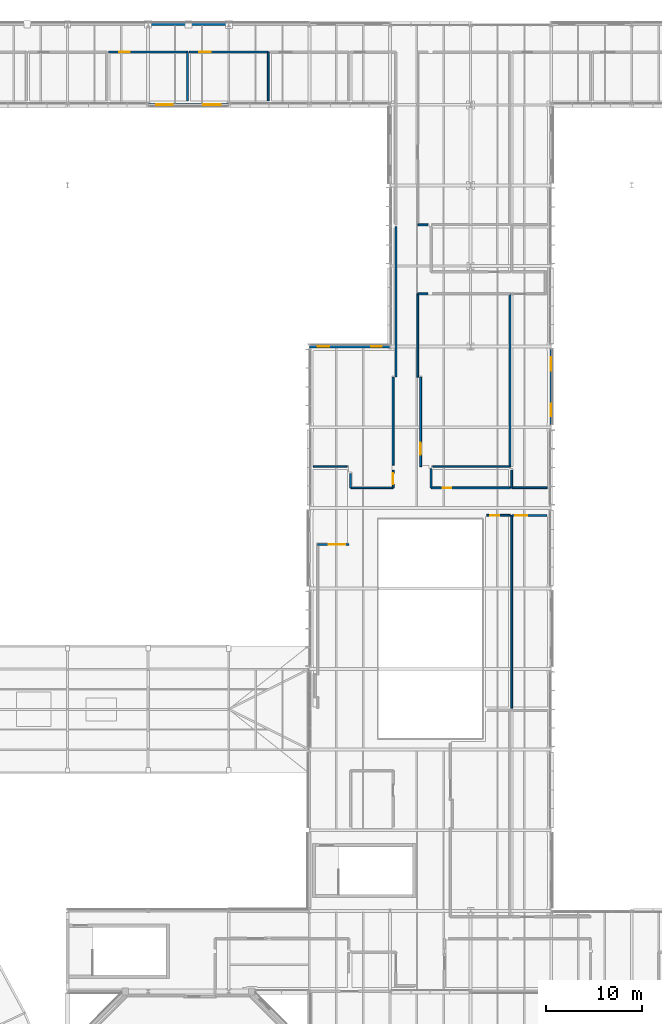
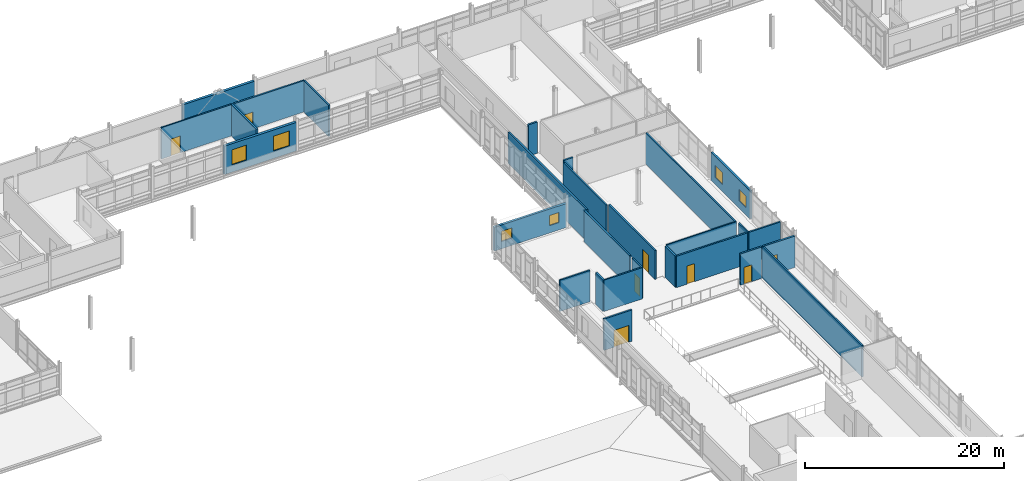
# One storey, part 126 of 151: 28 walls, 8 doors, 6 windows, 14 openings.
"""IFC4 building model written with IfcOpenShell, lengths in metres."""

from ifc_helpers import new_model, si_unit, direction, frame, frame_2d, origin, place, context, subcontext, project, spatial, rectangle, extrude, material, layer, layer_set, type_object, element, fill, save


model = new_model("IFC4")

# Units and contexts
model_context = context("Model", 3, precision=1e-05, world=origin(), true_north=direction((0.0, 1.0)))
body_context = subcontext(model_context, "Body", "Model", "MODEL_VIEW")
ifc_project = project(units=[si_unit("LENGTHUNIT", "METRE"), si_unit("AREAUNIT", "SQUARE_METRE"), si_unit("VOLUMEUNIT", "CUBIC_METRE"), si_unit("PLANEANGLEUNIT", "RADIAN"), si_unit("MASSUNIT", "GRAM", prefix="KILO")], contexts=[model_context])

# Site, building, storey
site_placement = place(None, origin())
site = spatial("IfcSite", under=ifc_project, at=site_placement, CompositionType="ELEMENT")
building_placement = place(site_placement, origin())
building = spatial("IfcBuilding", under=site, at=building_placement, Name="Mersafa Astral City Hall", CompositionType="ELEMENT")
storey_placement = place(building_placement, frame((0.0, 0.0, 9.89990234375)))
storey = spatial("IfcBuildingStorey", under=building, at=storey_placement, Name="L02", CompositionType="ELEMENT", Elevation=9.89990234375)

# Wall, openings, windows
ifc_material_1 = material(Name="Precast concrete C40/50 insulated terracotta spandrel", Category="masonry")
ifc_layer_1 = layer(ifc_material_1, 0.235107421875, Name="Precast concrete C40/50 insulated terracotta spandrel")
ifc_layer_set_1 = layer_set([ifc_layer_1], Name="Precast concrete C40/50 insulated terracotta spandrel — ENV-WAL-EXT-235")
wall_type_1 = type_object("IfcWallType", Name="ENV-WAL-EXT-235", PredefinedType="STANDARD", material=ifc_layer_set_1)
wall_1_placement = place(storey_placement, frame((117.60009765625, 84.27099609375, 0.0), z_axis=(0.0, 0.0, 1.0), x_axis=(0.0, 1.0, 0.0)))
wall_1 = element("IfcWall", 1, at=wall_1_placement, inside=storey, type_object=wall_type_1, Name="L02 Limestone-clad exterior wall 173", PredefinedType="STANDARD", context=body_context, shape_type="SweptSolid", body=[
    extrude(rectangle(XDim=7.85791015625, YDim=0.235107421875, at=frame_2d((3.928955078125, 0.0))), origin(), (0.0, 0.0, 1.0), 3.47216796875),
])
opening_1_placement = place(wall_1_placement, frame((0.85009765625, 0.0, 0.89990234375)))
opening_1 = element("IfcOpeningElement", 2, at=opening_1_placement, cuts=wall_1, Name="Opening W-24", PredefinedType="OPENING", context=body_context, shape_type="SweptSolid", body=[
    extrude(rectangle(XDim=1.320068359375, YDim=1.449951171875, at=frame_2d((0.66015625, 0.72509765625))), frame((0.0, 0.12744140625, 0.0), z_axis=(0.0, -1.0, 0.0), x_axis=(1.0, 0.0, 0.0)), (0.0, 0.0, 1.0), 0.255126953125),
])
opening_2_placement = place(wall_1_placement, frame((5.587890625, 0.0, 0.89990234375)))
opening_2 = element("IfcOpeningElement", 3, at=opening_2_placement, cuts=wall_1, Name="Opening W-25", PredefinedType="OPENING", context=body_context, shape_type="SweptSolid", body=[
    extrude(rectangle(XDim=1.419921875, YDim=1.449951171875, at=frame_2d((0.7099609375, 0.72509765625))), frame((0.0, 0.12744140625, 0.0), z_axis=(0.0, -1.0, 0.0), x_axis=(1.0, 0.0, 0.0)), (0.0, 0.0, 1.0), 0.255126953125),
])
ifc_material_2 = material(Name="Solar control low-e double glazing in bronze frame", Category="glass")
window_type_1 = type_object("IfcWindowType", Name="ENV-WIN-W-24", PartitioningType="SINGLE_PANEL", PredefinedType="WINDOW", material=ifc_material_2)
window_1_placement = place(opening_1_placement, origin())
window_1 = element("IfcWindow", 4, at=window_1_placement, inside=storey, type_object=window_type_1, Name="L02 Solar punched window 173-L", OverallHeight=1.449951171875, OverallWidth=1.320068359375, PartitioningType="SINGLE_PANEL", PredefinedType="WINDOW", context=body_context, shape_type="SweptSolid", body=[
    extrude(rectangle(XDim=1.320068359375, YDim=1.449951171875, at=frame_2d((0.66015625, 0.72509765625))), frame((0.0, 0.030029296875, 0.0), z_axis=(0.0, -1.0, 0.0), x_axis=(1.0, 0.0, 0.0)), (0.0, 0.0, 1.0), 0.06005859375),
])
fill(opening_1, window_1)
window_type_2 = type_object("IfcWindowType", Name="ENV-WIN-W-25", PartitioningType="SINGLE_PANEL", PredefinedType="WINDOW", material=ifc_material_2)
window_2_placement = place(opening_2_placement, origin())
window_2 = element("IfcWindow", 5, at=window_2_placement, inside=storey, type_object=window_type_2, Name="L02 Solar punched window 173-R", OverallHeight=1.449951171875, OverallWidth=1.419921875, PartitioningType="SINGLE_PANEL", PredefinedType="WINDOW", context=body_context, shape_type="SweptSolid", body=[
    extrude(rectangle(XDim=1.419921875, YDim=1.449951171875, at=frame_2d((0.7099609375, 0.72509765625))), frame((0.0, 0.030029296875, 0.0), z_axis=(0.0, -1.0, 0.0), x_axis=(1.0, 0.0, 0.0)), (0.0, 0.0, 1.0), 0.06005859375),
])
fill(opening_2, window_2)

ifc_material_3 = material(Name="Precast concrete C40/50 insulated limestone wall", Category="masonry")
ifc_layer_2 = layer(ifc_material_3, 0.264892578125, Name="Precast concrete C40/50 insulated limestone wall")
ifc_layer_set_2 = layer_set([ifc_layer_2], Name="Precast concrete C40/50 insulated limestone wall — ENV-WAL-EXT-265")
wall_type_2 = type_object("IfcWallType", Name="ENV-WAL-EXT-265", PredefinedType="STANDARD", material=ifc_layer_set_2)
wall_2_placement = place(storey_placement, frame((100.7919921875, 92.39990234375, 0.0), z_axis=(0.0, 0.0, 1.0), x_axis=(-1.0, 0.0, 0.0)))
wall_2 = element("IfcWall", 6, at=wall_2_placement, inside=storey, type_object=wall_type_2, Name="L02 Limestone-clad exterior wall 219", PredefinedType="STANDARD", context=body_context, shape_type="SweptSolid", body=[
    extrude(rectangle(XDim=8.384033203125, YDim=0.264892578125, at=frame_2d((4.19189453125, 0.0))), origin(), (0.0, 0.0, 1.0), 2.93212890625),
])
opening_3_placement = place(wall_2_placement, frame((0.85009765625, 0.0, 0.89990234375)))
opening_3 = element("IfcOpeningElement", 7, at=opening_3_placement, cuts=wall_2, Name="Opening W-12", PredefinedType="OPENING", context=body_context, shape_type="SweptSolid", body=[
    extrude(rectangle(XDim=1.1201171875, YDim=1.25, at=frame_2d((0.56005859375, 0.625))), frame((0.0, 0.142333984375, 0.0), z_axis=(0.0, -1.0, 0.0), x_axis=(1.0, 0.0, 0.0)), (0.0, 0.0, 1.0), 0.284912109375),
])
opening_4_placement = place(wall_2_placement, frame((6.31396484375, 0.0, 0.89990234375)))
opening_4 = element("IfcOpeningElement", 8, at=opening_4_placement, cuts=wall_2, Name="Opening W-13", PredefinedType="OPENING", context=body_context, shape_type="SweptSolid", body=[
    extrude(rectangle(XDim=1.219970703125, YDim=1.25, at=frame_2d((0.60986328125, 0.625))), frame((0.0, 0.142333984375, 0.0), z_axis=(0.0, -1.0, 0.0), x_axis=(1.0, 0.0, 0.0)), (0.0, 0.0, 1.0), 0.284912109375),
])
window_type_3 = type_object("IfcWindowType", Name="ENV-WIN-W-12", PartitioningType="SINGLE_PANEL", PredefinedType="WINDOW", material=ifc_material_2)
window_3_placement = place(opening_3_placement, origin())
window_3 = element("IfcWindow", 9, at=window_3_placement, inside=storey, type_object=window_type_3, Name="L02 Solar punched window 219-L", OverallHeight=1.25, OverallWidth=1.1201171875, PartitioningType="SINGLE_PANEL", PredefinedType="WINDOW", context=body_context, shape_type="SweptSolid", body=[
    extrude(rectangle(XDim=1.1201171875, YDim=1.25, at=frame_2d((0.56005859375, 0.625))), frame((0.0, 0.030029296875, 0.0), z_axis=(0.0, -1.0, 0.0), x_axis=(1.0, 0.0, 0.0)), (0.0, 0.0, 1.0), 0.06005859375),
])
fill(opening_3, window_3)
window_type_4 = type_object("IfcWindowType", Name="ENV-WIN-W-13", PartitioningType="SINGLE_PANEL", PredefinedType="WINDOW", material=ifc_material_2)
window_4_placement = place(opening_4_placement, origin())
window_4 = element("IfcWindow", 10, at=window_4_placement, inside=storey, type_object=window_type_4, Name="L02 Solar punched window 219-R", OverallHeight=1.25, OverallWidth=1.219970703125, PartitioningType="SINGLE_PANEL", PredefinedType="WINDOW", context=body_context, shape_type="SweptSolid", body=[
    extrude(rectangle(XDim=1.219970703125, YDim=1.25, at=frame_2d((0.60986328125, 0.625))), frame((0.0, 0.030029296875, 0.0), z_axis=(0.0, -1.0, 0.0), x_axis=(1.0, 0.0, 0.0)), (0.0, 0.0, 1.0), 0.06005859375),
])
fill(opening_4, window_4)

# Wall
ifc_layer_3 = layer(ifc_material_3, 0.294921875, Name="Precast concrete C40/50 insulated limestone wall")
ifc_layer_set_3 = layer_set([ifc_layer_3], Name="Precast concrete C40/50 insulated limestone wall — ENV-WAL-EXT-295")
wall_type_3 = type_object("IfcWallType", Name="ENV-WAL-EXT-295", PredefinedType="STANDARD", material=ifc_layer_set_3)
wall_3_placement = place(storey_placement, frame((83.991943359375, 126.0, 0.0), z_axis=(0.0, 0.0, 1.0), x_axis=(-1.0, 0.0, 0.0)))
element("IfcWall", 11, at=wall_3_placement, inside=storey, type_object=wall_type_3, Name="L02 Limestone-clad exterior wall 199", PredefinedType="STANDARD", context=body_context, shape_type="SweptSolid", body=[
    extrude(rectangle(XDim=8.384033203125, YDim=0.294921875, at=frame_2d((4.19189453125, 0.0))), origin(), (0.0, 0.0, 1.0), 3.47216796875),
])

# Wall, openings, windows
wall_4_placement = place(storey_placement, frame((75.60791015625, 117.60009765625, 0.0), z_axis=(0.0, 0.0, 1.0), x_axis=(1.0, 0.0, 0.0)))
wall_4 = element("IfcWall", 12, at=wall_4_placement, inside=storey, type_object=wall_type_3, Name="L02 Limestone-clad exterior wall 217", PredefinedType="STANDARD", context=body_context, shape_type="SweptSolid", body=[
    extrude(rectangle(XDim=8.384033203125, YDim=0.294921875, at=frame_2d((4.19189453125, 0.0))), origin(), (0.0, 0.0, 1.0), 3.502197265625),
])
opening_5_placement = place(wall_4_placement, frame((0.85009765625, 0.0, 0.89990234375)))
opening_5 = element("IfcOpeningElement", 13, at=opening_5_placement, cuts=wall_4, Name="Opening W-48", PredefinedType="OPENING", context=body_context, shape_type="SweptSolid", body=[
    extrude(rectangle(XDim=1.719970703125, YDim=1.85009765625, at=frame_2d((0.85986328125, 0.925048828125))), frame((0.0, 0.157470703125, 0.0), z_axis=(0.0, -1.0, 0.0), x_axis=(1.0, 0.0, 0.0)), (0.0, 0.0, 1.0), 0.31494140625),
])
opening_6_placement = place(wall_4_placement, frame((5.714111328125, 0.0, 0.89990234375)))
opening_6 = element("IfcOpeningElement", 14, at=opening_6_placement, cuts=wall_4, Name="Opening W-49", PredefinedType="OPENING", context=body_context, shape_type="SweptSolid", body=[
    extrude(rectangle(XDim=1.820068359375, YDim=1.85009765625, at=frame_2d((0.91015625, 0.925048828125))), frame((0.0, 0.157470703125, 0.0), z_axis=(0.0, -1.0, 0.0), x_axis=(1.0, 0.0, 0.0)), (0.0, 0.0, 1.0), 0.31494140625),
])
window_type_5 = type_object("IfcWindowType", Name="ENV-WIN-W-48", PartitioningType="SINGLE_PANEL", PredefinedType="WINDOW", material=ifc_material_2)
window_5_placement = place(opening_5_placement, origin())
window_5 = element("IfcWindow", 15, at=window_5_placement, inside=storey, type_object=window_type_5, Name="L02 Solar punched window 217-L", OverallHeight=1.85009765625, OverallWidth=1.719970703125, PartitioningType="SINGLE_PANEL", PredefinedType="WINDOW", context=body_context, shape_type="SweptSolid", body=[
    extrude(rectangle(XDim=1.719970703125, YDim=1.85009765625, at=frame_2d((0.85986328125, 0.925048828125))), frame((0.0, 0.030029296875, 0.0), z_axis=(0.0, -1.0, 0.0), x_axis=(1.0, 0.0, 0.0)), (0.0, 0.0, 1.0), 0.06005859375),
])
fill(opening_5, window_5)
window_type_6 = type_object("IfcWindowType", Name="ENV-WIN-W-49", PartitioningType="SINGLE_PANEL", PredefinedType="WINDOW", material=ifc_material_2)
window_6_placement = place(opening_6_placement, origin())
window_6 = element("IfcWindow", 16, at=window_6_placement, inside=storey, type_object=window_type_6, Name="L02 Solar punched window 217-R", OverallHeight=1.85009765625, OverallWidth=1.820068359375, PartitioningType="SINGLE_PANEL", PredefinedType="WINDOW", context=body_context, shape_type="SweptSolid", body=[
    extrude(rectangle(XDim=1.820068359375, YDim=1.85009765625, at=frame_2d((0.91015625, 0.925048828125))), frame((0.0, 0.030029296875, 0.0), z_axis=(0.0, -1.0, 0.0), x_axis=(1.0, 0.0, 0.0)), (0.0, 0.0, 1.0), 0.06005859375),
])
fill(opening_6, window_6)

# Walls
ifc_material_4 = material(Name="Acoustic steel-stud gypsum partition", Category="steel")
ifc_layer_4 = layer(ifc_material_4, 0.14990234375, Name="Acoustic steel-stud gypsum partition")
ifc_layer_set_4 = layer_set([ifc_layer_4], Name="Acoustic steel-stud gypsum partition — INT-WAL-PART-EI30-150")
wall_type_4 = type_object("IfcWallType", Name="INT-WAL-PART-EI30-150", PredefinedType="STANDARD", material=ifc_layer_set_4)
wall_5_placement = place(storey_placement, frame((113.31005859375, 79.889892578125, -0.00390625), z_axis=(0.0, 0.0, 1.0), x_axis=(-1.0, 0.0, 0.0)))
element("IfcWall", 17, at=wall_5_placement, inside=storey, type_object=wall_type_4, Name="L02 Interior partition wall 408", PredefinedType="STANDARD", context=body_context, shape_type="SweptSolid", body=[
    extrude(rectangle(XDim=8.050048828125, YDim=0.14990234375, at=frame_2d((4.02490234375, 0.0))), origin(), (0.0, 0.0, 1.0), 3.843994140625),
])
ifc_material_5 = material(Name="Fire-rated gypsum stud partition", Category="gypsum")
ifc_layer_5 = layer(ifc_material_5, 0.1650390625, Name="Fire-rated gypsum stud partition")
ifc_layer_set_5 = layer_set([ifc_layer_5], Name="Fire-rated gypsum stud partition — INT-WAL-PART-EI60-165")
wall_type_5 = type_object("IfcWallType", Name="INT-WAL-PART-EI60-165", PredefinedType="STANDARD", material=ifc_layer_set_5)
wall_6_placement = place(storey_placement, frame((113.31005859375, 97.89990234375, -0.00390625), z_axis=(0.0, 0.0, 1.0), x_axis=(0.0, -1.0, 0.0)))
element("IfcWall", 18, at=wall_6_placement, inside=storey, type_object=wall_type_5, Name="L02 Interior partition wall 407", PredefinedType="STANDARD", context=body_context, shape_type="SweptSolid", body=[
    extrude(rectangle(XDim=18.010009765625, YDim=0.1650390625, at=frame_2d((9.0048828125, 0.0))), origin(), (0.0, 0.0, 1.0), 3.843994140625),
])
wall_7_placement = place(storey_placement, frame((113.489990234375, 77.679931640625, -0.00390625), z_axis=(0.0, 0.0, 1.0), x_axis=(0.0, 1.0, 0.0)))
element("IfcWall", 19, at=wall_7_placement, inside=storey, type_object=wall_type_5, Name="L02 Interior partition wall 443", PredefinedType="STANDARD", context=body_context, shape_type="SweptSolid", body=[
    extrude(rectangle(XDim=1.860107421875, YDim=0.1650390625, at=frame_2d((0.93017578125, 0.0))), origin(), (0.0, 0.0, 1.0), 3.843994140625),
])
wall_8_placement = place(storey_placement, frame((113.489990234375, 54.68994140625, -0.00390625), z_axis=(0.0, 0.0, 1.0), x_axis=(0.0, 1.0, 0.0)))
element("IfcWall", 20, at=wall_8_placement, inside=storey, type_object=wall_type_5, Name="L02 Interior partition wall 451", PredefinedType="STANDARD", context=body_context, shape_type="SweptSolid", body=[
    extrude(rectangle(XDim=20.130126953125, YDim=0.1650390625, at=frame_2d((10.06494140625, 0.0))), origin(), (0.0, 0.0, 1.0), 3.843994140625),
])
wall_9_placement = place(storey_placement, frame((96.340087890625, 79.889892578125, -0.00390625), z_axis=(0.0, 0.0, 1.0), x_axis=(-1.0, 0.0, 0.0)))
element("IfcWall", 21, at=wall_9_placement, inside=storey, type_object=wall_type_5, Name="L02 Interior partition wall 463", PredefinedType="STANDARD", context=body_context, shape_type="SweptSolid", body=[
    extrude(rectangle(XDim=3.52001953125, YDim=0.1650390625, at=frame_2d((1.760009765625, 0.0))), origin(), (0.0, 0.0, 1.0), 3.843994140625),
])
wall_10_placement = place(storey_placement, frame((101.1298828125, 77.679931640625, -0.00390625), z_axis=(0.0, 0.0, 1.0), x_axis=(-1.0, 0.0, 0.0)))
element("IfcWall", 22, at=wall_10_placement, inside=storey, type_object=wall_type_5, Name="L02 Interior partition wall 467", PredefinedType="STANDARD", context=body_context, shape_type="SweptSolid", body=[
    extrude(rectangle(XDim=4.43994140625, YDim=0.1650390625, at=frame_2d((2.219970703125, 0.0))), origin(), (0.0, 0.0, 1.0), 3.843994140625),
])

# Wall, opening, door
wall_11_placement = place(storey_placement, frame((71.489990234375, 123.10009765625, -0.00390625), z_axis=(0.0, 0.0, 1.0), x_axis=(1.0, 0.0, 0.0)))
wall_11 = element("IfcWall", 23, at=wall_11_placement, inside=storey, type_object=wall_type_5, Name="L02 Interior partition wall 483", PredefinedType="STANDARD", context=body_context, shape_type="SweptSolid", body=[
    extrude(rectangle(XDim=8.219970703125, YDim=0.1650390625, at=frame_2d((4.10986328125, 0.0))), origin(), (0.0, 0.0, 1.0), 3.843994140625),
])
opening_7_placement = place(wall_11_placement, frame((1.093994140625, 0.0, 0.0)))
opening_7 = element("IfcOpeningElement", 24, at=opening_7_placement, cuts=wall_11, Name="Opening D-04", PredefinedType="OPENING", context=body_context, shape_type="SweptSolid", body=[
    extrude(rectangle(XDim=1.10009765625, YDim=2.06005859375, at=frame_2d((0.550048828125, 1.030029296875))), frame((0.0, 0.092529296875, 0.0), z_axis=(0.0, -1.0, 0.0), x_axis=(1.0, 0.0, 0.0)), (0.0, 0.0, 1.0), 0.18505859375),
])
ifc_material_6 = material(Name="Cedar veneered acoustic fire-rated timber door", Category="wood")
door_type_1 = type_object("IfcDoorType", Name="INT-DR-RM-D-04", OperationType="NOTDEFINED", PredefinedType="DOOR", material=ifc_material_6)
door_1_placement = place(opening_7_placement, origin())
door_1 = element("IfcDoor", 25, at=door_1_placement, inside=storey, type_object=door_type_1, Name="L02 Civic Model Exhibition Room L02-18 Entrance Door", OperationType="SINGLE_SWING_RIGHT", OverallHeight=2.06005859375, OverallWidth=1.10009765625, PredefinedType="DOOR", context=body_context, shape_type="SweptSolid", body=[
    extrude(rectangle(XDim=1.10009765625, YDim=2.06005859375, at=frame_2d((0.550048828125, 1.030029296875))), frame((0.0, 0.02490234375, 0.0), z_axis=(0.0, -1.0, 0.0), x_axis=(1.0, 0.0, 0.0)), (0.0, 0.0, 1.0), 0.050048828125),
])
fill(opening_7, door_1)

# Walls
ifc_material_7 = material(Name="Acoustic twin-stud gypsum partition", Category="gypsum")
ifc_layer_6 = layer(ifc_material_7, 0.179931640625, Name="Acoustic twin-stud gypsum partition")
ifc_layer_set_6 = layer_set([ifc_layer_6], Name="Acoustic twin-stud gypsum partition — INT-WAL-PART-EI60-180")
wall_type_6 = type_object("IfcWallType", Name="INT-WAL-PART-EI60-180", PredefinedType="STANDARD", material=ifc_layer_set_6)
wall_12_placement = place(storey_placement, frame((103.699951171875, 89.219970703125, -0.00390625), z_axis=(0.0, 0.0, 1.0), x_axis=(0.0, 1.0, 0.0)))
element("IfcWall", 26, at=wall_12_placement, inside=storey, type_object=wall_type_6, Name="L02 Interior partition wall 410", PredefinedType="STANDARD", context=body_context, shape_type="SweptSolid", body=[
    extrude(rectangle(XDim=8.679931640625, YDim=0.179931640625, at=frame_2d((4.33984375, 0.0))), origin(), (0.0, 0.0, 1.0), 3.595947265625),
])
wall_13_placement = place(storey_placement, frame((117.179931640625, 77.679931640625, -0.00390625), z_axis=(0.0, 0.0, 1.0), x_axis=(-1.0, 0.0, 0.0)))
element("IfcWall", 27, at=wall_13_placement, inside=storey, type_object=wall_type_6, Name="L02 Interior partition wall 442", PredefinedType="STANDARD", context=body_context, shape_type="SweptSolid", body=[
    extrude(rectangle(XDim=3.68994140625, YDim=0.179931640625, at=frame_2d((1.844970703125, 0.0))), origin(), (0.0, 0.0, 1.0), 3.843994140625),
])

# Wall, opening, door
wall_14_placement = place(storey_placement, frame((101.1298828125, 79.5400390625, -0.00390625), z_axis=(0.0, 0.0, 1.0), x_axis=(0.0, -1.0, 0.0)))
wall_14 = element("IfcWall", 28, at=wall_14_placement, inside=storey, type_object=wall_type_6, Name="L02 Interior partition wall 466", PredefinedType="STANDARD", context=body_context, shape_type="SweptSolid", body=[
    extrude(rectangle(XDim=1.860107421875, YDim=0.179931640625, at=frame_2d((0.93017578125, 0.0))), origin(), (0.0, 0.0, 1.0), 3.843994140625),
])
opening_8_placement = place(wall_14_placement, frame((0.360107421875, 0.0, 0.0)))
opening_8 = element("IfcOpeningElement", 29, at=opening_8_placement, cuts=wall_14, Name="Opening D-22", PredefinedType="OPENING", context=body_context, shape_type="SweptSolid", body=[
    extrude(rectangle(XDim=1.10009765625, YDim=2.219970703125, at=frame_2d((0.550048828125, 1.10986328125))), frame((0.0, 0.099853515625, 0.0), z_axis=(0.0, -1.0, 0.0), x_axis=(1.0, 0.0, 0.0)), (0.0, 0.0, 1.0), 0.199951171875),
])
door_type_2 = type_object("IfcDoorType", Name="INT-DR-RM-D-22", OperationType="NOTDEFINED", PredefinedType="DOOR", material=ifc_material_6)
door_2_placement = place(opening_8_placement, origin())
door_2 = element("IfcDoor", 30, at=door_2_placement, inside=storey, type_object=door_type_2, Name="L02 Library Stack L02-14 Entrance Door", OperationType="SINGLE_SWING_RIGHT", OverallHeight=2.219970703125, OverallWidth=1.10009765625, PredefinedType="DOOR", context=body_context, shape_type="SweptSolid", body=[
    extrude(rectangle(XDim=1.10009765625, YDim=2.219970703125, at=frame_2d((0.550048828125, 1.10986328125))), frame((0.0, 0.02490234375, 0.0), z_axis=(0.0, -1.0, 0.0), x_axis=(1.0, 0.0, 0.0)), (0.0, 0.0, 1.0), 0.050048828125),
])
fill(opening_8, door_2)

# Walls
wall_15_placement = place(storey_placement, frame((88.110107421875, 123.10009765625, -0.00390625), z_axis=(0.0, 0.0, 1.0), x_axis=(0.0, -1.0, 0.0)))
element("IfcWall", 31, at=wall_15_placement, inside=storey, type_object=wall_type_6, Name="L02 Interior partition wall 486", PredefinedType="STANDARD", context=body_context, shape_type="SweptSolid", body=[
    extrude(rectangle(XDim=5.080078125, YDim=0.179931640625, at=frame_2d((2.5400390625, 0.0))), origin(), (0.0, 0.0, 1.0), 3.843994140625),
])
ifc_layer_7 = layer(ifc_material_7, 0.195068359375, Name="Acoustic twin-stud gypsum partition")
ifc_layer_set_7 = layer_set([ifc_layer_7], Name="Acoustic twin-stud gypsum partition — INT-WAL-PART-EI60-195")
wall_type_7 = type_object("IfcWallType", Name="INT-WAL-PART-EI60-195", PredefinedType="STANDARD", material=ifc_layer_set_7)
wall_16_placement = place(storey_placement, frame((103.699951171875, 97.89990234375, -0.00390625), z_axis=(0.0, 0.0, 1.0), x_axis=(1.0, 0.0, 0.0)))
element("IfcWall", 32, at=wall_16_placement, inside=storey, type_object=wall_type_7, Name="L02 Interior partition wall 405", PredefinedType="STANDARD", context=body_context, shape_type="SweptSolid", body=[
    extrude(rectangle(XDim=1.0400390625, YDim=0.195068359375, at=frame_2d((0.52001953125, 0.0))), origin(), (0.0, 0.0, 1.0), 3.843994140625),
])

# Wall, opening, door
wall_17_placement = place(storey_placement, frame((103.989990234375, 79.889892578125, -0.00390625), z_axis=(0.0, 0.0, 1.0), x_axis=(0.0, 1.0, 0.0)))
wall_17 = element("IfcWall", 33, at=wall_17_placement, inside=storey, type_object=wall_type_7, Name="L02 Interior partition wall 409", PredefinedType="STANDARD", context=body_context, shape_type="SweptSolid", body=[
    extrude(rectangle(XDim=9.330078125, YDim=0.195068359375, at=frame_2d((4.6650390625, 0.0))), origin(), (0.0, 0.0, 1.0), 3.56591796875),
])
opening_9_placement = place(wall_17_placement, frame((1.22607421875, 0.0, 0.0)))
opening_9 = element("IfcOpeningElement", 34, at=opening_9_placement, cuts=wall_17, Name="Opening D-24", PredefinedType="OPENING", context=body_context, shape_type="SweptSolid", body=[
    extrude(rectangle(XDim=1.280029296875, YDim=2.219970703125, at=frame_2d((0.64013671875, 1.10986328125))), frame((0.0, 0.107421875, 0.0), z_axis=(0.0, -1.0, 0.0), x_axis=(1.0, 0.0, 0.0)), (0.0, 0.0, 1.0), 0.215087890625),
])
door_type_3 = type_object("IfcDoorType", Name="INT-DR-RM-D-24", OperationType="NOTDEFINED", PredefinedType="DOOR", material=ifc_material_6)
door_3_placement = place(opening_9_placement, origin())
door_3 = element("IfcDoor", 35, at=door_3_placement, inside=storey, type_object=door_type_3, Name="L02 Press Gallery L02-02 Entrance Door", OperationType="SINGLE_SWING_RIGHT", OverallHeight=2.219970703125, OverallWidth=1.280029296875, PredefinedType="DOOR", context=body_context, shape_type="SweptSolid", body=[
    extrude(rectangle(XDim=1.280029296875, YDim=2.219970703125, at=frame_2d((0.64013671875, 1.10986328125))), frame((0.0, 0.02490234375, 0.0), z_axis=(0.0, -1.0, 0.0), x_axis=(1.0, 0.0, 0.0)), (0.0, 0.0, 1.0), 0.050048828125),
])
fill(opening_9, door_3)

# Walls
wall_18_placement = place(storey_placement, frame((104.739990234375, 105.090087890625, -0.00390625), z_axis=(0.0, 0.0, 1.0), x_axis=(-1.0, 0.0, 0.0)))
element("IfcWall", 36, at=wall_18_placement, inside=storey, type_object=wall_type_7, Name="L02 Interior partition wall 413", PredefinedType="STANDARD", context=body_context, shape_type="SweptSolid", body=[
    extrude(rectangle(XDim=1.0400390625, YDim=0.195068359375, at=frame_2d((0.52001953125, 0.0))), origin(), (0.0, 0.0, 1.0), 3.843994140625),
])
wall_19_placement = place(storey_placement, frame((101.1298828125, 89.219970703125, -0.00390625), z_axis=(0.0, 0.0, 1.0), x_axis=(0.0, -1.0, 0.0)))
element("IfcWall", 37, at=wall_19_placement, inside=storey, type_object=wall_type_7, Name="L02 Interior partition wall 465", PredefinedType="STANDARD", context=body_context, shape_type="SweptSolid", body=[
    extrude(rectangle(XDim=9.159912109375, YDim=0.195068359375, at=frame_2d((4.580078125, 0.0))), origin(), (0.0, 0.0, 1.0), 3.843994140625),
])

# Wall, opening, door
wall_20_placement = place(storey_placement, frame((110.86962890625, 74.820068359375, -0.00390625), z_axis=(0.0, 0.0, 1.0), x_axis=(1.0, 0.0, 0.0)))
wall_20 = element("IfcWall", 38, at=wall_20_placement, inside=storey, type_object=wall_type_7, Name="L02 Interior partition wall 469", PredefinedType="STANDARD", context=body_context, shape_type="SweptSolid", body=[
    extrude(rectangle(XDim=2.4404296875, YDim=0.195068359375, at=frame_2d((1.22021484375, 0.0))), origin(), (0.0, 0.0, 1.0), 3.843994140625),
])
opening_10_placement = place(wall_20_placement, frame((0.39404296875, 0.0, 0.0)))
opening_10 = element("IfcOpeningElement", 39, at=opening_10_placement, cuts=wall_20, Name="Opening D-01", PredefinedType="OPENING", context=body_context, shape_type="SweptSolid", body=[
    extrude(rectangle(XDim=0.919921875, YDim=2.06005859375, at=frame_2d((0.4599609375, 1.030029296875))), frame((0.0, 0.107421875, 0.0), z_axis=(0.0, -1.0, 0.0), x_axis=(1.0, 0.0, 0.0)), (0.0, 0.0, 1.0), 0.215087890625),
])
door_type_4 = type_object("IfcDoorType", Name="INT-DR-RM-D-01", OperationType="NOTDEFINED", PredefinedType="DOOR", material=ifc_material_6)
door_4_placement = place(opening_10_placement, origin())
door_4 = element("IfcDoor", 40, at=door_4_placement, inside=storey, type_object=door_type_4, Name="L02 Municipal Reference Reading Room L02-15 Entrance Door", OperationType="SINGLE_SWING_LEFT", OverallHeight=2.06005859375, OverallWidth=0.919921875, PredefinedType="DOOR", context=body_context, shape_type="SweptSolid", body=[
    extrude(rectangle(XDim=0.919921875, YDim=2.06005859375, at=frame_2d((0.4599609375, 1.030029296875))), frame((0.0, 0.02490234375, 0.0), z_axis=(0.0, -1.0, 0.0), x_axis=(1.0, 0.0, 0.0)), (0.0, 0.0, 1.0), 0.050048828125),
])
fill(opening_10, door_4)

wall_21_placement = place(storey_placement, frame((79.889892578125, 123.10009765625, -0.00390625), z_axis=(0.0, 0.0, 1.0), x_axis=(1.0, 0.0, 0.0)))
wall_21 = element("IfcWall", 41, at=wall_21_placement, inside=storey, type_object=wall_type_7, Name="L02 Interior partition wall 485", PredefinedType="STANDARD", context=body_context, shape_type="SweptSolid", body=[
    extrude(rectangle(XDim=8.22021484375, YDim=0.195068359375, at=frame_2d((4.110107421875, 0.0))), origin(), (0.0, 0.0, 1.0), 3.843994140625),
])
opening_11_placement = place(wall_21_placement, frame((1.053955078125, 0.0, 0.0)))
opening_11 = element("IfcOpeningElement", 42, at=opening_11_placement, cuts=wall_21, Name="Opening D-05", PredefinedType="OPENING", context=body_context, shape_type="SweptSolid", body=[
    extrude(rectangle(XDim=1.179931640625, YDim=2.06005859375, at=frame_2d((0.58984375, 1.030029296875))), frame((0.0, 0.107421875, 0.0), z_axis=(0.0, -1.0, 0.0), x_axis=(1.0, 0.0, 0.0)), (0.0, 0.0, 1.0), 0.215087890625),
])
door_type_5 = type_object("IfcDoorType", Name="INT-DR-RM-D-05", OperationType="NOTDEFINED", PredefinedType="DOOR", material=ifc_material_6)
door_5_placement = place(opening_11_placement, origin())
door_5 = element("IfcDoor", 43, at=door_5_placement, inside=storey, type_object=door_type_5, Name="L02 Public Restroom L02-19 Entrance Door", OperationType="SINGLE_SWING_LEFT", OverallHeight=2.06005859375, OverallWidth=1.179931640625, PredefinedType="DOOR", context=body_context, shape_type="SweptSolid", body=[
    extrude(rectangle(XDim=1.179931640625, YDim=2.06005859375, at=frame_2d((0.58984375, 1.030029296875))), frame((0.0, 0.02490234375, 0.0), z_axis=(0.0, -1.0, 0.0), x_axis=(1.0, 0.0, 0.0)), (0.0, 0.0, 1.0), 0.050048828125),
])
fill(opening_11, door_5)

wall_22_placement = place(storey_placement, frame((113.31005859375, 77.679931640625, -0.00390625), z_axis=(0.0, 0.0, 1.0), x_axis=(-1.0, 0.0, 0.0)))
wall_22 = element("IfcWall", 44, at=wall_22_placement, inside=storey, type_object=wall_type_7, Name="L02 Interior partition wall 537", PredefinedType="STANDARD", context=body_context, shape_type="SweptSolid", body=[
    extrude(rectangle(XDim=8.219970703125, YDim=0.195068359375, at=frame_2d((4.10986328125, 0.0))), origin(), (0.0, 0.0, 1.0), 3.843994140625),
])
opening_12_placement = place(wall_22_placement, frame((6.115966796875, 0.0, 0.0)))
opening_12 = element("IfcOpeningElement", 45, at=opening_12_placement, cuts=wall_22, Name="Opening D-19", PredefinedType="OPENING", context=body_context, shape_type="SweptSolid", body=[
    extrude(rectangle(XDim=0.919921875, YDim=2.219970703125, at=frame_2d((0.4599609375, 1.10986328125))), frame((0.0, 0.107421875, 0.0), z_axis=(0.0, -1.0, 0.0), x_axis=(1.0, 0.0, 0.0)), (0.0, 0.0, 1.0), 0.215087890625),
])
door_type_6 = type_object("IfcDoorType", Name="INT-DR-RM-D-19", OperationType="NOTDEFINED", PredefinedType="DOOR", material=ifc_material_6)
door_6_placement = place(opening_12_placement, origin())
door_6 = element("IfcDoor", 46, at=door_6_placement, inside=storey, type_object=door_type_6, Name="L02 Municipal Reference Reading Room L02-33 Entrance Door", OperationType="SINGLE_SWING_LEFT", OverallHeight=2.219970703125, OverallWidth=0.919921875, PredefinedType="DOOR", context=body_context, shape_type="SweptSolid", body=[
    extrude(rectangle(XDim=0.919921875, YDim=2.219970703125, at=frame_2d((0.4599609375, 1.10986328125))), frame((0.0, 0.02490234375, 0.0), z_axis=(0.0, -1.0, 0.0), x_axis=(1.0, 0.0, 0.0)), (0.0, 0.0, 1.0), 0.050048828125),
])
fill(opening_12, door_6)

ifc_material_8 = material(Name="Autoclaved aerated concrete blockwork plastered", Category="masonry")
ifc_layer_8 = layer(ifc_material_8, 0.2099609375, Name="Autoclaved aerated concrete blockwork plastered")
ifc_layer_set_8 = layer_set([ifc_layer_8], Name="Autoclaved aerated concrete blockwork plastered — INT-WAL-PART-EI60-210")
wall_type_8 = type_object("IfcWallType", Name="INT-WAL-PART-EI60-210", PredefinedType="STANDARD", material=ifc_layer_set_8)
wall_23_placement = place(storey_placement, frame((113.489990234375, 74.820068359375, -0.00390625), z_axis=(0.0, 0.0, 1.0), x_axis=(1.0, 0.0, 0.0)))
wall_23 = element("IfcWall", 47, at=wall_23_placement, inside=storey, type_object=wall_type_8, Name="L02 Interior partition wall 452", PredefinedType="STANDARD", context=body_context, shape_type="SweptSolid", body=[
    extrude(rectangle(XDim=3.68994140625, YDim=0.2099609375, at=frame_2d((1.844970703125, 0.0))), origin(), (0.0, 0.0, 1.0), 3.843994140625),
])
opening_13_placement = place(wall_23_placement, frame((0.360107421875, 0.0, 0.0)))
opening_13 = element("IfcOpeningElement", 48, at=opening_13_placement, cuts=wall_23, Name="Opening D-33", PredefinedType="OPENING", context=body_context, shape_type="SweptSolid", body=[
    extrude(rectangle(XDim=1.280029296875, YDim=2.300048828125, at=frame_2d((0.64013671875, 1.14990234375))), frame((0.0, 0.114990234375, 0.0), z_axis=(0.0, -1.0, 0.0), x_axis=(1.0, 0.0, 0.0)), (0.0, 0.0, 1.0), 0.22998046875),
])
door_type_7 = type_object("IfcDoorType", Name="INT-DR-RM-D-33", OperationType="NOTDEFINED", PredefinedType="DOOR", material=ifc_material_6)
door_7_placement = place(opening_13_placement, origin())
door_7 = element("IfcDoor", 49, at=door_7_placement, inside=storey, type_object=door_type_7, Name="L02 Press Gallery L02-11 Entrance Door", OperationType="SINGLE_SWING_LEFT", OverallHeight=2.300048828125, OverallWidth=1.280029296875, PredefinedType="DOOR", context=body_context, shape_type="SweptSolid", body=[
    extrude(rectangle(XDim=1.280029296875, YDim=2.300048828125, at=frame_2d((0.64013671875, 1.14990234375))), frame((0.0, 0.02490234375, 0.0), z_axis=(0.0, -1.0, 0.0), x_axis=(1.0, 0.0, 0.0)), (0.0, 0.0, 1.0), 0.050048828125),
])
fill(opening_13, door_7)

# Walls
wall_24_placement = place(storey_placement, frame((101.419921875, 104.909912109375, -0.00390625), z_axis=(0.0, 0.0, 1.0), x_axis=(0.0, -1.0, 0.0)))
element("IfcWall", 50, at=wall_24_placement, inside=storey, type_object=wall_type_8, Name="L02 Interior partition wall 464", PredefinedType="STANDARD", context=body_context, shape_type="SweptSolid", body=[
    extrude(rectangle(XDim=15.68994140625, YDim=0.2099609375, at=frame_2d((7.844970703125, 0.0))), origin(), (0.0, 0.0, 1.0), 3.843994140625),
])
wall_25_placement = place(storey_placement, frame((96.68994140625, 77.679931640625, -0.00390625), z_axis=(0.0, 0.0, 1.0), x_axis=(0.0, 1.0, 0.0)))
element("IfcWall", 51, at=wall_25_placement, inside=storey, type_object=wall_type_8, Name="L02 Interior partition wall 468", PredefinedType="STANDARD", context=body_context, shape_type="SweptSolid", body=[
    extrude(rectangle(XDim=1.510009765625, YDim=0.2099609375, at=frame_2d((0.7548828125, 0.0))), origin(), (0.0, 0.0, 1.0), 3.843994140625),
])
wall_26_placement = place(storey_placement, frame((79.7099609375, 123.10009765625, -0.00390625), z_axis=(0.0, 0.0, 1.0), x_axis=(0.0, -1.0, 0.0)))
element("IfcWall", 52, at=wall_26_placement, inside=storey, type_object=wall_type_8, Name="L02 Interior partition wall 484", PredefinedType="STANDARD", context=body_context, shape_type="SweptSolid", body=[
    extrude(rectangle(XDim=5.080078125, YDim=0.2099609375, at=frame_2d((2.5400390625, 0.0))), origin(), (0.0, 0.0, 1.0), 3.843994140625),
])

# Wall, opening, door
wall_27_placement = place(storey_placement, frame((96.510009765625, 71.7900390625, -0.00390625), z_axis=(0.0, 0.0, 1.0), x_axis=(-1.0, 0.0, 0.0)))
wall_27 = element("IfcWall", 53, at=wall_27_placement, inside=storey, type_object=wall_type_8, Name="L02 Interior partition wall 496", PredefinedType="STANDARD", context=body_context, shape_type="SweptSolid", body=[
    extrude(rectangle(XDim=3.239990234375, YDim=0.2099609375, at=frame_2d((1.6201171875, 0.0))), origin(), (0.0, 0.0, 1.0), 3.843994140625),
])
opening_14_placement = place(wall_27_placement, frame((0.360107421875, 0.0, 0.0)))
opening_14 = element("IfcOpeningElement", 54, at=opening_14_placement, cuts=wall_27, Name="Opening D-09", PredefinedType="OPENING", context=body_context, shape_type="SweptSolid", body=[
    extrude(rectangle(XDim=1.719970703125, YDim=2.06005859375, at=frame_2d((0.85986328125, 1.030029296875))), frame((0.0, 0.114990234375, 0.0), z_axis=(0.0, -1.0, 0.0), x_axis=(1.0, 0.0, 0.0)), (0.0, 0.0, 1.0), 0.22998046875),
])
door_type_8 = type_object("IfcDoorType", Name="INT-DR-RM-D-09", OperationType="NOTDEFINED", PredefinedType="DOOR", material=ifc_material_6)
door_8_placement = place(opening_14_placement, origin())
door_8 = element("IfcDoor", 55, at=door_8_placement, inside=storey, type_object=door_type_8, Name="L02 Library Stack L02-23 Entrance Door", OperationType="SINGLE_SWING_LEFT", OverallHeight=2.06005859375, OverallWidth=1.719970703125, PredefinedType="DOOR", context=body_context, shape_type="SweptSolid", body=[
    extrude(rectangle(XDim=1.719970703125, YDim=2.06005859375, at=frame_2d((0.85986328125, 1.030029296875))), frame((0.0, 0.02490234375, 0.0), z_axis=(0.0, -1.0, 0.0), x_axis=(1.0, 0.0, 0.0)), (0.0, 0.0, 1.0), 0.050048828125),
])
fill(opening_14, door_8)

# Wall
wall_28_placement = place(storey_placement, frame((105.090087890625, 77.679931640625, -0.00390625), z_axis=(0.0, 0.0, 1.0), x_axis=(0.0, 1.0, 0.0)))
element("IfcWall", 56, at=wall_28_placement, inside=storey, type_object=wall_type_8, Name="L02 Interior partition wall 536", PredefinedType="STANDARD", context=body_context, shape_type="SweptSolid", body=[
    extrude(rectangle(XDim=2.030029296875, YDim=0.2099609375, at=frame_2d((1.01513671875, 0.0))), origin(), (0.0, 0.0, 1.0), 3.843994140625),
])

save(model, "model.ifc")
